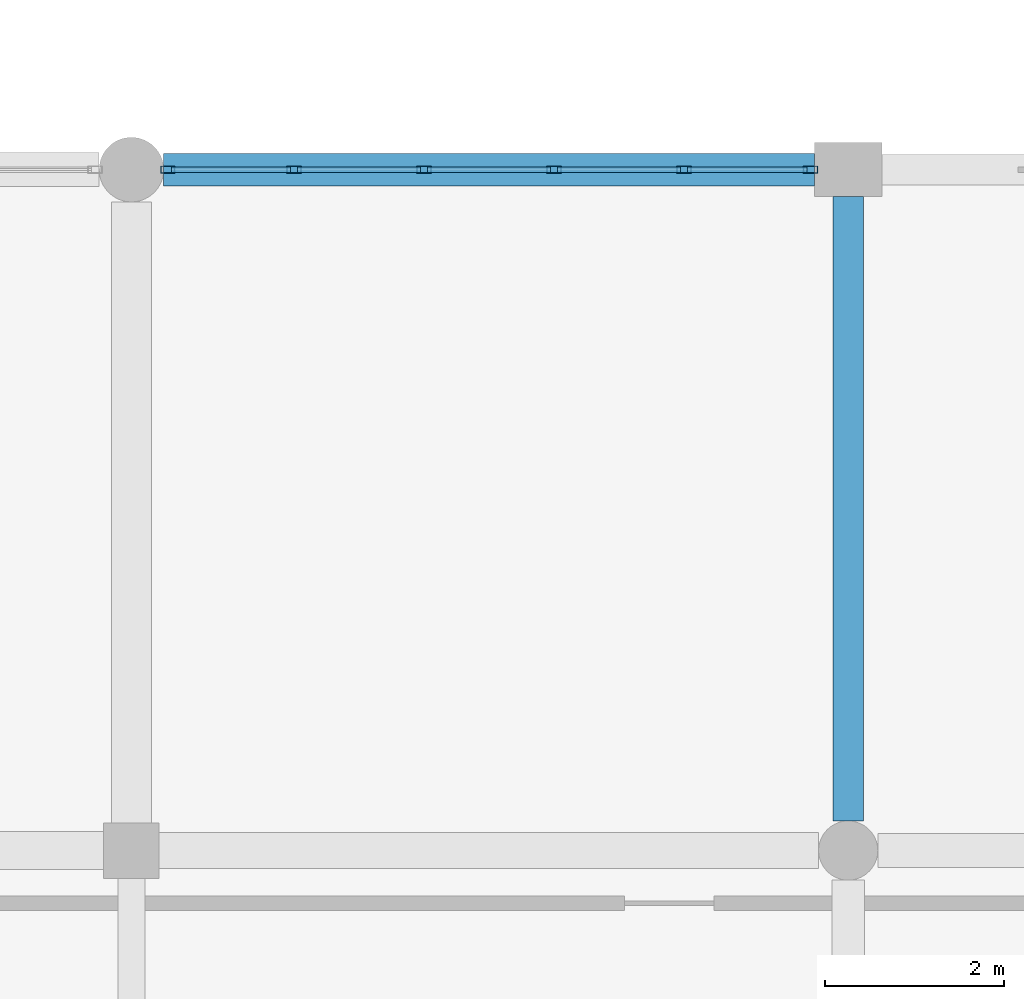
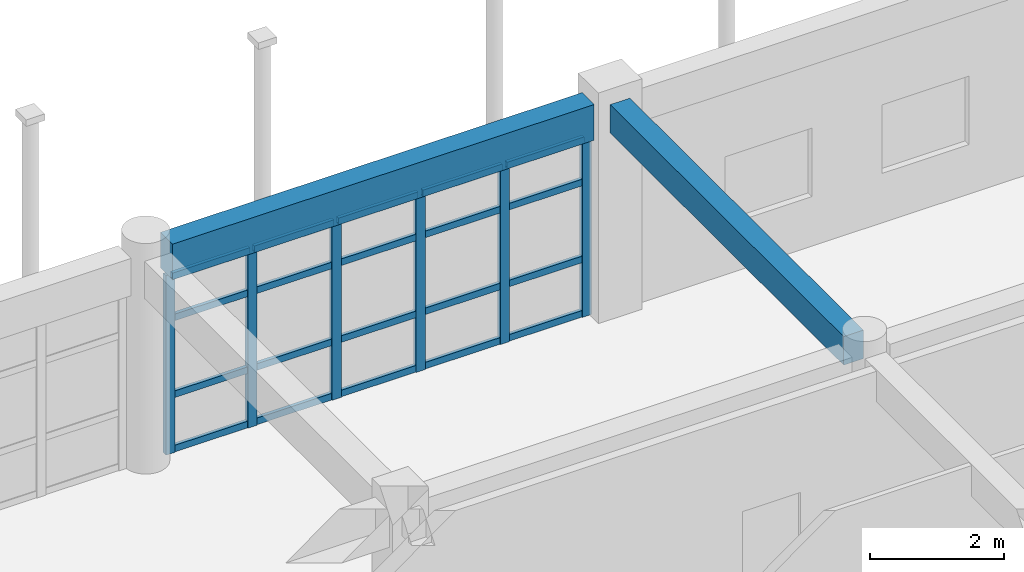
# One storey, part 72 of 195: 26 members, 2 beams, 1 element without a shape of its own.
"""IFC4 building model written with IfcOpenShell, lengths in metres."""

from ifc_helpers import new_model, si_unit, direction, frame, origin, origin_2d, place, context, subcontext, project, spatial, rectangle, hollow_rectangle, extrude, material, material_profile, profile_set, type_object, element, aggregate, save


model = new_model("IFC4")

# Units and contexts
model_context = context("Model", 3, precision=1e-05, world=origin(), true_north=direction((0.0, 1.0)))
body_context = subcontext(model_context, "Body", "Model", "MODEL_VIEW")
ifc_project = project(units=[si_unit("LENGTHUNIT", "METRE"), si_unit("AREAUNIT", "SQUARE_METRE"), si_unit("VOLUMEUNIT", "CUBIC_METRE"), si_unit("PLANEANGLEUNIT", "RADIAN"), si_unit("MASSUNIT", "GRAM", prefix="KILO")], contexts=[model_context])

# Site, building, storey
site_placement = place(None, origin())
site = spatial("IfcSite", under=ifc_project, at=site_placement, CompositionType="ELEMENT")
building_placement = place(site_placement, origin())
building = spatial("IfcBuilding", under=site, at=building_placement, Name="Kharva Crest Polytechnic", CompositionType="ELEMENT")
storey_placement = place(building_placement, frame((0.0, 0.0, 9.0)))
storey = spatial("IfcBuildingStorey", under=building, at=storey_placement, Name="L02", CompositionType="ELEMENT", Elevation=9.0)

# Beam
ifc_material_1 = material(Name="Concrete C35/45", Category="concrete")
ifc_material_profile_1 = material_profile(ifc_material_1, rectangle(XDim=0.340087890625, YDim=0.52001953125, at=origin_2d()), Name="RECT 340 X 520")
ifc_profile_set_1 = profile_set([ifc_material_profile_1], Name="Concrete C35/45")
beam_type_1 = type_object("IfcBeamType", Name="BM-RC-340X520", PredefinedType="BEAM", material=ifc_profile_set_1)
beam_1_placement = place(storey_placement, frame((72.0, 15.530029296875, 3.659912109375), z_axis=(0.0, 1.0, 0.0), x_axis=(-1.0, 0.0, 0.0)))
element("IfcBeam", 1, at=beam_1_placement, inside=storey, type_object=beam_type_1, Name="L02 Girder 10/C-D", PredefinedType="BEAM", context=body_context, shape_type="SweptSolid", body=[
    extrude(rectangle(XDim=0.340087890625, YDim=0.52001953125, at=origin_2d()), origin(), (0.0, 0.0, 1.0), 6.969970703125),
])

# Curtain wall, members
ifc_material_2 = material(Name="Tempered insulated glass", Category="glass")
curtain_wall_type = type_object("IfcCurtainWallType", Name="CW-SYS-COURT", PredefinedType="USERDEFINED", material=ifc_material_2)
curtain_wall_placement = place(storey_placement, origin())
curtain_wall = element("IfcCurtainWall", 2, at=curtain_wall_placement, inside=storey, type_object=curtain_wall_type, Name="L02 Glazed Curtain Wall CW-084", ObjectType="CURTAIN WALL", PredefinedType="USERDEFINED")
ifc_material_3 = material(Name="Steel S355", Category="steel")
ifc_material_profile_2 = material_profile(ifc_material_3, hollow_rectangle(XDim=0.080078125, YDim=0.159912109375, WallThickness=0.0048828125, at=origin_2d()), Name="RHS 160X80X5.0")
ifc_profile_set_2 = profile_set([ifc_material_profile_2], Name="Steel S355")
member_type_1 = type_object("IfcMemberType", Name="CWM-RHS160X80", PredefinedType="MULLION", material=ifc_profile_set_2)
member_1_placement = place(storey_placement, frame((71.580078125, 22.800048828125, 0.0), z_axis=(0.0, 0.0, 1.0), x_axis=(0.0, -1.0, 0.0)))
member_1 = element("IfcMember", 3, at=member_1_placement, type_object=member_type_1, Name="CW-084 mullion 1", PredefinedType="MULLION", context=body_context, shape_type="SweptSolid", body=[
    extrude(hollow_rectangle(XDim=0.080078125, YDim=0.159912109375, WallThickness=0.0048828125, at=origin_2d()), origin(), (0.0, 0.0, 1.0), 3.27001953125),
])
member_2_placement = place(storey_placement, frame((70.1689453125, 22.800048828125, 0.0), z_axis=(0.0, 0.0, 1.0), x_axis=(0.0, -1.0, 0.0)))
member_2 = element("IfcMember", 4, at=member_2_placement, type_object=member_type_1, Name="CW-084 mullion 2", PredefinedType="MULLION", context=body_context, shape_type="SweptSolid", body=[
    extrude(hollow_rectangle(XDim=0.080078125, YDim=0.159912109375, WallThickness=0.0048828125, at=origin_2d()), origin(), (0.0, 0.0, 1.0), 3.27001953125),
])
member_3_placement = place(storey_placement, frame((68.718017578125, 22.800048828125, 0.0), z_axis=(0.0, 0.0, 1.0), x_axis=(0.0, -1.0, 0.0)))
member_3 = element("IfcMember", 5, at=member_3_placement, type_object=member_type_1, Name="CW-084 mullion 3", PredefinedType="MULLION", context=body_context, shape_type="SweptSolid", body=[
    extrude(hollow_rectangle(XDim=0.080078125, YDim=0.159912109375, WallThickness=0.0048828125, at=origin_2d()), origin(), (0.0, 0.0, 1.0), 3.27001953125),
])
member_4_placement = place(storey_placement, frame((67.26708984375, 22.800048828125, 0.0), z_axis=(0.0, 0.0, 1.0), x_axis=(0.0, -1.0, 0.0)))
member_4 = element("IfcMember", 6, at=member_4_placement, type_object=member_type_1, Name="CW-084 mullion 4", PredefinedType="MULLION", context=body_context, shape_type="SweptSolid", body=[
    extrude(hollow_rectangle(XDim=0.080078125, YDim=0.159912109375, WallThickness=0.0048828125, at=origin_2d()), origin(), (0.0, 0.0, 1.0), 3.27001953125),
])
member_5_placement = place(storey_placement, frame((65.81591796875, 22.800048828125, 0.0), z_axis=(0.0, 0.0, 1.0), x_axis=(0.0, -1.0, 0.0)))
member_5 = element("IfcMember", 7, at=member_5_placement, type_object=member_type_1, Name="CW-084 mullion 5", PredefinedType="MULLION", context=body_context, shape_type="SweptSolid", body=[
    extrude(hollow_rectangle(XDim=0.080078125, YDim=0.159912109375, WallThickness=0.0048828125, at=origin_2d()), origin(), (0.0, 0.0, 1.0), 3.27001953125),
])
member_6_placement = place(storey_placement, frame((64.405029296875, 22.800048828125, 0.0), z_axis=(0.0, 0.0, 1.0), x_axis=(0.0, -1.0, 0.0)))
member_6 = element("IfcMember", 8, at=member_6_placement, type_object=member_type_1, Name="CW-084 mullion 6", PredefinedType="MULLION", context=body_context, shape_type="SweptSolid", body=[
    extrude(hollow_rectangle(XDim=0.080078125, YDim=0.159912109375, WallThickness=0.0048828125, at=origin_2d()), origin(), (0.0, 0.0, 1.0), 3.27001953125),
])
ifc_material_profile_3 = material_profile(ifc_material_3, hollow_rectangle(XDim=0.06005859375, YDim=0.1201171875, WallThickness=0.00390625, at=origin_2d()), Name="RHS 120X60X4.0")
ifc_profile_set_3 = profile_set([ifc_material_profile_3], Name="Steel S355")
member_type_2 = type_object("IfcMemberType", Name="CWT-RHS120X60", PredefinedType="USERDEFINED", material=ifc_profile_set_3)
member_7_placement = place(storey_placement, frame((71.5400390625, 22.800048828125, 0.06005859375), z_axis=(-1.0, 0.0, 0.0), x_axis=(0.0, -1.0, 0.0)))
member_7 = element("IfcMember", 9, at=member_7_placement, type_object=member_type_2, Name="CW-084 transom 1.1", ObjectType="TRANSOM", PredefinedType="USERDEFINED", context=body_context, shape_type="SweptSolid", body=[
    extrude(hollow_rectangle(XDim=0.06005859375, YDim=0.1201171875, WallThickness=0.00390625, at=origin_2d()), origin(), (0.0, 0.0, 1.0), 1.3310546875),
])
member_8_placement = place(storey_placement, frame((71.5400390625, 22.800048828125, 1.050048828125), z_axis=(-1.0, 0.0, 0.0), x_axis=(0.0, -1.0, 0.0)))
member_8 = element("IfcMember", 10, at=member_8_placement, type_object=member_type_2, Name="CW-084 transom 1.2", ObjectType="TRANSOM", PredefinedType="USERDEFINED", context=body_context, shape_type="SweptSolid", body=[
    extrude(hollow_rectangle(XDim=0.06005859375, YDim=0.1201171875, WallThickness=0.00390625, at=origin_2d()), origin(), (0.0, 0.0, 1.0), 1.3310546875),
])
member_9_placement = place(storey_placement, frame((71.5400390625, 22.800048828125, 2.449951171875), z_axis=(-1.0, 0.0, 0.0), x_axis=(0.0, -1.0, 0.0)))
member_9 = element("IfcMember", 11, at=member_9_placement, type_object=member_type_2, Name="CW-084 transom 1.3", ObjectType="TRANSOM", PredefinedType="USERDEFINED", context=body_context, shape_type="SweptSolid", body=[
    extrude(hollow_rectangle(XDim=0.06005859375, YDim=0.1201171875, WallThickness=0.00390625, at=origin_2d()), origin(), (0.0, 0.0, 1.0), 1.3310546875),
])
member_10_placement = place(storey_placement, frame((71.5400390625, 22.800048828125, 3.2099609375), z_axis=(-1.0, 0.0, 0.0), x_axis=(0.0, -1.0, 0.0)))
member_10 = element("IfcMember", 12, at=member_10_placement, type_object=member_type_2, Name="CW-084 transom 1.4", ObjectType="TRANSOM", PredefinedType="USERDEFINED", context=body_context, shape_type="SweptSolid", body=[
    extrude(hollow_rectangle(XDim=0.06005859375, YDim=0.1201171875, WallThickness=0.00390625, at=origin_2d()), origin(), (0.0, 0.0, 1.0), 1.3310546875),
])
member_11_placement = place(storey_placement, frame((70.12890625, 22.800048828125, 0.06005859375), z_axis=(-1.0, 0.0, 0.0), x_axis=(0.0, -1.0, 0.0)))
member_11 = element("IfcMember", 13, at=member_11_placement, type_object=member_type_2, Name="CW-084 transom 2.1", ObjectType="TRANSOM", PredefinedType="USERDEFINED", context=body_context, shape_type="SweptSolid", body=[
    extrude(hollow_rectangle(XDim=0.06005859375, YDim=0.1201171875, WallThickness=0.00390625, at=origin_2d()), origin(), (0.0, 0.0, 1.0), 1.370849609375),
])
member_12_placement = place(storey_placement, frame((70.12890625, 22.800048828125, 1.050048828125), z_axis=(-1.0, 0.0, 0.0), x_axis=(0.0, -1.0, 0.0)))
member_12 = element("IfcMember", 14, at=member_12_placement, type_object=member_type_2, Name="CW-084 transom 2.2", ObjectType="TRANSOM", PredefinedType="USERDEFINED", context=body_context, shape_type="SweptSolid", body=[
    extrude(hollow_rectangle(XDim=0.06005859375, YDim=0.1201171875, WallThickness=0.00390625, at=origin_2d()), origin(), (0.0, 0.0, 1.0), 1.370849609375),
])
member_13_placement = place(storey_placement, frame((70.12890625, 22.800048828125, 2.449951171875), z_axis=(-1.0, 0.0, 0.0), x_axis=(0.0, -1.0, 0.0)))
member_13 = element("IfcMember", 15, at=member_13_placement, type_object=member_type_2, Name="CW-084 transom 2.3", ObjectType="TRANSOM", PredefinedType="USERDEFINED", context=body_context, shape_type="SweptSolid", body=[
    extrude(hollow_rectangle(XDim=0.06005859375, YDim=0.1201171875, WallThickness=0.00390625, at=origin_2d()), origin(), (0.0, 0.0, 1.0), 1.370849609375),
])
member_14_placement = place(storey_placement, frame((70.12890625, 22.800048828125, 3.2099609375), z_axis=(-1.0, 0.0, 0.0), x_axis=(0.0, -1.0, 0.0)))
member_14 = element("IfcMember", 16, at=member_14_placement, type_object=member_type_2, Name="CW-084 transom 2.4", ObjectType="TRANSOM", PredefinedType="USERDEFINED", context=body_context, shape_type="SweptSolid", body=[
    extrude(hollow_rectangle(XDim=0.06005859375, YDim=0.1201171875, WallThickness=0.00390625, at=origin_2d()), origin(), (0.0, 0.0, 1.0), 1.370849609375),
])
member_15_placement = place(storey_placement, frame((68.677978515625, 22.800048828125, 0.06005859375), z_axis=(-1.0, 0.0, 0.0), x_axis=(0.0, -1.0, 0.0)))
member_15 = element("IfcMember", 17, at=member_15_placement, type_object=member_type_2, Name="CW-084 transom 3.1", ObjectType="TRANSOM", PredefinedType="USERDEFINED", context=body_context, shape_type="SweptSolid", body=[
    extrude(hollow_rectangle(XDim=0.06005859375, YDim=0.1201171875, WallThickness=0.00390625, at=origin_2d()), origin(), (0.0, 0.0, 1.0), 1.37109375),
])
member_16_placement = place(storey_placement, frame((68.677978515625, 22.800048828125, 1.050048828125), z_axis=(-1.0, 0.0, 0.0), x_axis=(0.0, -1.0, 0.0)))
member_16 = element("IfcMember", 18, at=member_16_placement, type_object=member_type_2, Name="CW-084 transom 3.2", ObjectType="TRANSOM", PredefinedType="USERDEFINED", context=body_context, shape_type="SweptSolid", body=[
    extrude(hollow_rectangle(XDim=0.06005859375, YDim=0.1201171875, WallThickness=0.00390625, at=origin_2d()), origin(), (0.0, 0.0, 1.0), 1.37109375),
])
member_17_placement = place(storey_placement, frame((68.677978515625, 22.800048828125, 2.449951171875), z_axis=(-1.0, 0.0, 0.0), x_axis=(0.0, -1.0, 0.0)))
member_17 = element("IfcMember", 19, at=member_17_placement, type_object=member_type_2, Name="CW-084 transom 3.3", ObjectType="TRANSOM", PredefinedType="USERDEFINED", context=body_context, shape_type="SweptSolid", body=[
    extrude(hollow_rectangle(XDim=0.06005859375, YDim=0.1201171875, WallThickness=0.00390625, at=origin_2d()), origin(), (0.0, 0.0, 1.0), 1.37109375),
])
member_18_placement = place(storey_placement, frame((68.677978515625, 22.800048828125, 3.2099609375), z_axis=(-1.0, 0.0, 0.0), x_axis=(0.0, -1.0, 0.0)))
member_18 = element("IfcMember", 20, at=member_18_placement, type_object=member_type_2, Name="CW-084 transom 3.4", ObjectType="TRANSOM", PredefinedType="USERDEFINED", context=body_context, shape_type="SweptSolid", body=[
    extrude(hollow_rectangle(XDim=0.06005859375, YDim=0.1201171875, WallThickness=0.00390625, at=origin_2d()), origin(), (0.0, 0.0, 1.0), 1.37109375),
])
member_19_placement = place(storey_placement, frame((67.22705078125, 22.800048828125, 0.06005859375), z_axis=(-1.0, 0.0, 0.0), x_axis=(0.0, -1.0, 0.0)))
member_19 = element("IfcMember", 21, at=member_19_placement, type_object=member_type_2, Name="CW-084 transom 4.1", ObjectType="TRANSOM", PredefinedType="USERDEFINED", context=body_context, shape_type="SweptSolid", body=[
    extrude(hollow_rectangle(XDim=0.06005859375, YDim=0.1201171875, WallThickness=0.00390625, at=origin_2d()), origin(), (0.0, 0.0, 1.0), 1.37109375),
])
member_20_placement = place(storey_placement, frame((67.22705078125, 22.800048828125, 1.050048828125), z_axis=(-1.0, 0.0, 0.0), x_axis=(0.0, -1.0, 0.0)))
member_20 = element("IfcMember", 22, at=member_20_placement, type_object=member_type_2, Name="CW-084 transom 4.2", ObjectType="TRANSOM", PredefinedType="USERDEFINED", context=body_context, shape_type="SweptSolid", body=[
    extrude(hollow_rectangle(XDim=0.06005859375, YDim=0.1201171875, WallThickness=0.00390625, at=origin_2d()), origin(), (0.0, 0.0, 1.0), 1.37109375),
])
member_21_placement = place(storey_placement, frame((67.22705078125, 22.800048828125, 2.449951171875), z_axis=(-1.0, 0.0, 0.0), x_axis=(0.0, -1.0, 0.0)))
member_21 = element("IfcMember", 23, at=member_21_placement, type_object=member_type_2, Name="CW-084 transom 4.3", ObjectType="TRANSOM", PredefinedType="USERDEFINED", context=body_context, shape_type="SweptSolid", body=[
    extrude(hollow_rectangle(XDim=0.06005859375, YDim=0.1201171875, WallThickness=0.00390625, at=origin_2d()), origin(), (0.0, 0.0, 1.0), 1.37109375),
])
member_22_placement = place(storey_placement, frame((67.22705078125, 22.800048828125, 3.2099609375), z_axis=(-1.0, 0.0, 0.0), x_axis=(0.0, -1.0, 0.0)))
member_22 = element("IfcMember", 24, at=member_22_placement, type_object=member_type_2, Name="CW-084 transom 4.4", ObjectType="TRANSOM", PredefinedType="USERDEFINED", context=body_context, shape_type="SweptSolid", body=[
    extrude(hollow_rectangle(XDim=0.06005859375, YDim=0.1201171875, WallThickness=0.00390625, at=origin_2d()), origin(), (0.0, 0.0, 1.0), 1.37109375),
])
member_23_placement = place(storey_placement, frame((65.77587890625, 22.800048828125, 0.06005859375), z_axis=(-1.0, 0.0, 0.0), x_axis=(0.0, -1.0, 0.0)))
member_23 = element("IfcMember", 25, at=member_23_placement, type_object=member_type_2, Name="CW-084 transom 5.1", ObjectType="TRANSOM", PredefinedType="USERDEFINED", context=body_context, shape_type="SweptSolid", body=[
    extrude(hollow_rectangle(XDim=0.06005859375, YDim=0.1201171875, WallThickness=0.00390625, at=origin_2d()), origin(), (0.0, 0.0, 1.0), 1.330810546875),
])
member_24_placement = place(storey_placement, frame((65.77587890625, 22.800048828125, 1.050048828125), z_axis=(-1.0, 0.0, 0.0), x_axis=(0.0, -1.0, 0.0)))
member_24 = element("IfcMember", 26, at=member_24_placement, type_object=member_type_2, Name="CW-084 transom 5.2", ObjectType="TRANSOM", PredefinedType="USERDEFINED", context=body_context, shape_type="SweptSolid", body=[
    extrude(hollow_rectangle(XDim=0.06005859375, YDim=0.1201171875, WallThickness=0.00390625, at=origin_2d()), origin(), (0.0, 0.0, 1.0), 1.330810546875),
])
member_25_placement = place(storey_placement, frame((65.77587890625, 22.800048828125, 2.449951171875), z_axis=(-1.0, 0.0, 0.0), x_axis=(0.0, -1.0, 0.0)))
member_25 = element("IfcMember", 27, at=member_25_placement, type_object=member_type_2, Name="CW-084 transom 5.3", ObjectType="TRANSOM", PredefinedType="USERDEFINED", context=body_context, shape_type="SweptSolid", body=[
    extrude(hollow_rectangle(XDim=0.06005859375, YDim=0.1201171875, WallThickness=0.00390625, at=origin_2d()), origin(), (0.0, 0.0, 1.0), 1.330810546875),
])
member_26_placement = place(storey_placement, frame((65.77587890625, 22.800048828125, 3.2099609375), z_axis=(-1.0, 0.0, 0.0), x_axis=(0.0, -1.0, 0.0)))
member_26 = element("IfcMember", 28, at=member_26_placement, type_object=member_type_2, Name="CW-084 transom 5.4", ObjectType="TRANSOM", PredefinedType="USERDEFINED", context=body_context, shape_type="SweptSolid", body=[
    extrude(hollow_rectangle(XDim=0.06005859375, YDim=0.1201171875, WallThickness=0.00390625, at=origin_2d()), origin(), (0.0, 0.0, 1.0), 1.330810546875),
])
aggregate(curtain_wall, [member_1, member_2, member_3, member_4, member_5, member_6, member_7, member_8, member_9, member_10, member_11, member_12, member_13, member_14, member_15, member_16, member_17, member_18, member_19, member_20, member_21, member_22, member_23, member_24, member_25, member_26])

# Beam
ifc_material_profile_4 = material_profile(ifc_material_1, rectangle(XDim=0.360107421875, YDim=0.64990234375, at=origin_2d()), Name="RECT 360 X 650")
ifc_profile_set_4 = profile_set([ifc_material_profile_4], Name="Concrete C35/45")
beam_type_2 = type_object("IfcBeamType", Name="SP-RC-360X650", PredefinedType="SPANDREL", material=ifc_profile_set_4)
beam_2_placement = place(storey_placement, frame((64.360107421875, 22.800048828125, 3.594970703125), z_axis=(1.0, 0.0, 0.0), x_axis=(0.0, 1.0, 0.0)))
element("IfcBeam", 29, at=beam_2_placement, inside=storey, type_object=beam_type_2, Name="L02 Beam D/9-10", PredefinedType="SPANDREL", context=body_context, shape_type="SweptSolid", body=[
    extrude(rectangle(XDim=0.360107421875, YDim=0.64990234375, at=origin_2d()), origin(), (0.0, 0.0, 1.0), 7.264892578125),
])

save(model, "model.ifc")
